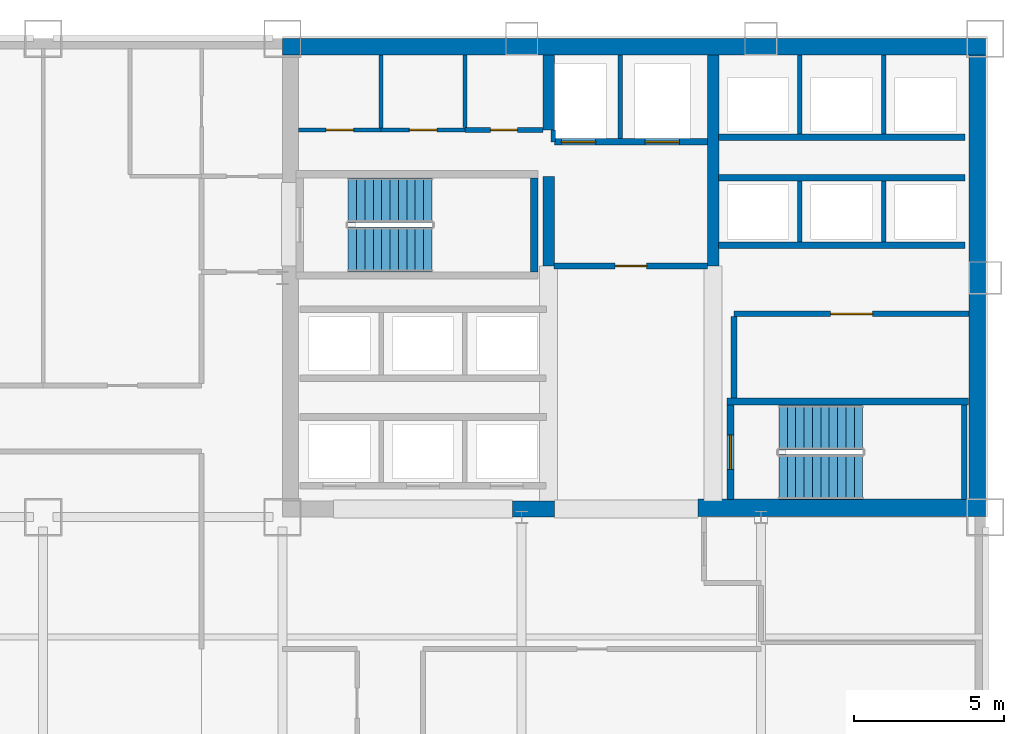
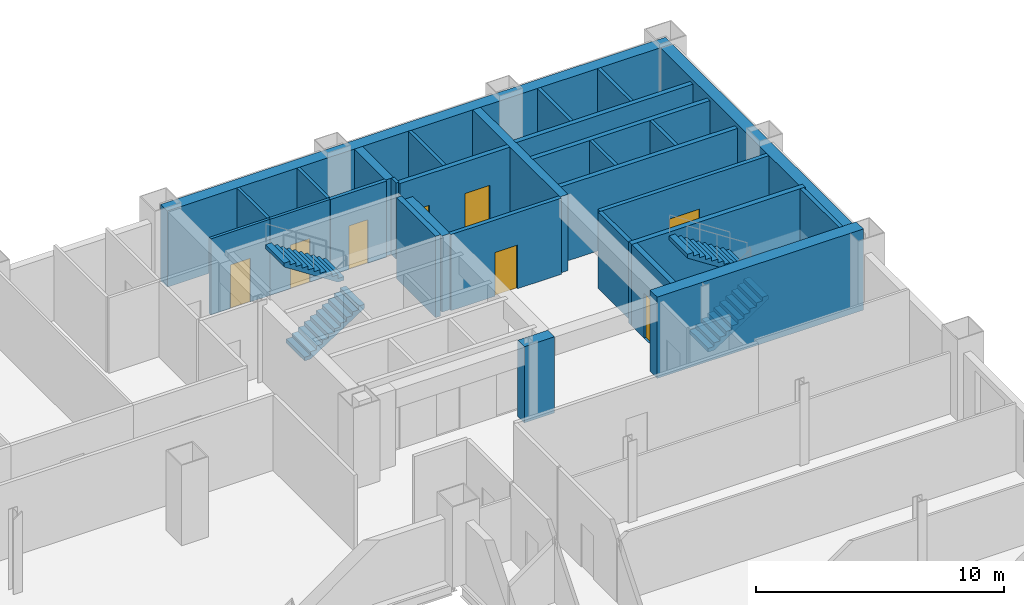
# One storey, part 7 of 9: 29 walls, 8 doors, 4 stair flights, 8 openings, 2 elements without a shape of their own.
"""IFC4 building model written with IfcOpenShell, lengths in metres."""

import ifcopenshell
import ifcopenshell.guid

model = None  # the IFC model being written
_history = None  # IfcOwnerHistory: only IFC2X3 demands one
_inside = {}  # id of a spatial element -> (the spatial element, [elements in it])
_under = {}  # id of a project, library or spatial element -> (it, [spatial elements below it])
_declared = {}  # id of a project -> (the project, [libraries it declares])
_typed = {}  # id of a type object -> (the type object, [elements of that type])
_made_of = {}  # id of a material, layer set ... -> (it, [elements and type objects made of it])


def new_model(schema):
    """Start an empty IFC model of exactly this schema.

    Asked for "IFC4X3", IfcOpenShell would pick the latest addendum, in which some entities
    have other attributes; the version numbers below select the first issue.
    IFC2X3 requires an IfcOwnerHistory on every rooted entity: one is made here for all.
    """
    global model, _history
    if schema == "IFC4X3":
        model = ifcopenshell.file(schema_version=(4, 3, 0, 0))
    else:
        model = ifcopenshell.file(schema=schema)
    _inside.clear()
    _under.clear()
    _declared.clear()
    _typed.clear()
    _made_of.clear()
    _history = None
    if model.schema == "IFC2X3":
        org = make("IfcOrganization", Name="unknown")
        user = make(
            "IfcPersonAndOrganization",
            ThePerson=make("IfcPerson", FamilyName="unknown"),
            TheOrganization=org,
        )
        app = make(
            "IfcApplication",
            ApplicationDeveloper=org,
            Version="unknown",
            ApplicationFullName="unknown",
            ApplicationIdentifier="unknown",
        )
        _history = make(
            "IfcOwnerHistory",
            OwningUser=user,
            OwningApplication=app,
            ChangeAction="ADDED",
            CreationDate=0,
        )
    return model


def make(cls, **values):
    """One entity of the class cls with the attributes given. An attribute that is None is left unset."""
    return model.create_entity(
        cls, **{name: value for name, value in values.items() if value is not None}
    )


def rooted(cls, **values):
    """An entity with a GlobalId (a new one), such as an element, a storey or a relation."""
    return make(cls, GlobalId=ifcopenshell.guid.new(), OwnerHistory=_history, **values)


def si_unit(unit_type, name, prefix=None):
    """IfcSIUnit, for example si_unit("LENGTHUNIT", "METRE", prefix="MILLI")."""
    return make("IfcSIUnit", UnitType=unit_type, Prefix=prefix, Name=name)


def assignment(units):
    """IfcUnitAssignment: the units of a project."""
    return None if units is None else make("IfcUnitAssignment", Units=units)


def point(xyz):
    """IfcCartesianPoint."""
    return None if xyz is None else make("IfcCartesianPoint", Coordinates=xyz)


def direction(xyz):
    """IfcDirection."""
    return None if xyz is None else make("IfcDirection", DirectionRatios=xyz)


def frame(location, z_axis=None, x_axis=None):
    """IfcAxis2Placement3D, a coordinate frame: its origin and axes. An axis left out is left unset."""
    return make(
        "IfcAxis2Placement3D",
        Location=point(location),
        Axis=direction(z_axis),
        RefDirection=direction(x_axis),
    )


def frame_2d(location, x_axis=None):
    """IfcAxis2Placement2D, a coordinate frame in the plane: its origin and x axis."""
    return make(
        "IfcAxis2Placement2D", Location=point(location), RefDirection=direction(x_axis)
    )


def origin():
    """The frame at (0, 0, 0) with its axes left unset."""
    return frame((0.0, 0.0, 0.0))


def place(relative_to, where):
    """IfcLocalPlacement: puts the frame where relative to a parent placement (None: the world)."""
    return make(
        "IfcLocalPlacement", PlacementRelTo=relative_to, RelativePlacement=where
    )


def context(
    kind, dimensions, precision=None, world=None, true_north=None, identifier=None
):
    """IfcGeometricRepresentationContext, for example the 3D "Model" context."""
    return make(
        "IfcGeometricRepresentationContext",
        ContextIdentifier=identifier,
        ContextType=kind,
        CoordinateSpaceDimension=dimensions,
        Precision=precision,
        WorldCoordinateSystem=world,
        TrueNorth=true_north,
    )


def subcontext(parent, identifier, kind, view, scale=None):
    """IfcGeometricRepresentationSubContext, for example "Body" below "Model"."""
    return make(
        "IfcGeometricRepresentationSubContext",
        ContextIdentifier=identifier,
        ContextType=kind,
        ParentContext=parent,
        TargetScale=scale,
        TargetView=view,
    )


def project(units=None, contexts=None):
    """IfcProject with its units and contexts."""
    return rooted(
        "IfcProject",
        Name="project",
        RepresentationContexts=contexts,
        UnitsInContext=assignment(units),
    )


def spatial(cls, under=None, at=None, **own):
    """A site, building, storey or space (cls), placed at a placement, below another one or the project."""
    s = rooted(cls, ObjectPlacement=at, **own)
    if under is not None:
        _under.setdefault(under.id(), (under, []))[1].append(s)
    return s


def polyline(points):
    """IfcPolyline through the points."""
    return make("IfcPolyline", Points=[point(p) for p in points])


def profile(cls, at=None, kind="AREA", **sizes):
    """A parametric profile (cls). Its sizes go by their IFC names, for example OverallWidth=200.0."""
    return make(cls, ProfileType=kind, Position=at, **sizes)


def rectangle(**sizes):
    """IfcRectangleProfileDef."""
    return profile("IfcRectangleProfileDef", **sizes)


def outline(outer, holes=None, kind="AREA"):
    """IfcArbitraryClosedProfileDef: a profile drawn as a closed curve; with holes, ...WithVoids."""
    if holes is None:
        return make("IfcArbitraryClosedProfileDef", ProfileType=kind, OuterCurve=outer)
    return make(
        "IfcArbitraryProfileDefWithVoids",
        ProfileType=kind,
        OuterCurve=outer,
        InnerCurves=holes,
    )


def extrude(swept, where, along, depth):
    """IfcExtrudedAreaSolid: the profile swept, set in the frame where, extruded along a direction by depth."""
    return make(
        "IfcExtrudedAreaSolid",
        SweptArea=swept,
        Position=where,
        ExtrudedDirection=direction(along),
        Depth=depth,
    )


def shape(context_of_items, identifier, shape_type, items):
    """IfcShapeRepresentation: the items that make up one representation, for example the "Body"."""
    return make(
        "IfcShapeRepresentation",
        ContextOfItems=context_of_items,
        RepresentationIdentifier=identifier,
        RepresentationType=shape_type,
        Items=items,
    )


def material(Name=None, Category=None):
    """IfcMaterial."""
    return make("IfcMaterial", Name=Name, Category=Category)


def layer(
    of_material, thickness, ventilated=None, Name=None, Category=None, Priority=None
):
    """IfcMaterialLayer: one layer of a wall or slab, of a material (None: an air gap)."""
    return make(
        "IfcMaterialLayer",
        Material=of_material,
        LayerThickness=thickness,
        IsVentilated=ventilated,
        Name=Name,
        Category=Category,
        Priority=Priority,
    )


def layer_set(layers, Name=None):
    """IfcMaterialLayerSet."""
    return make("IfcMaterialLayerSet", MaterialLayers=layers, LayerSetName=Name)


def made_of(thing, what):
    """Note that an element or type object is made of a material, layer set ...; save() writes the relation."""
    if what is not None:
        _made_of.setdefault(what.id(), (what, []))[1].append(thing)
    return thing


def type_object(cls, material=None, **own):
    """A type object (cls), such as IfcWallType, which elements share."""
    return made_of(rooted(cls, **own), material)


def element(
    cls,
    number,
    at=None,
    inside=None,
    cuts=None,
    type_object=None,
    material=None,
    context=None,
    identifier="Body",
    shape_type=None,
    held_by="IfcProductDefinitionShape",
    body=None,
    shapes=None,
    **own,
):
    """One element of the class cls, such as IfcWall. Its Tag is "e" and its number.

    at: its placement. inside: the storey or other place that contains it. cuts: it is an
    opening in that element (IfcRelVoidsElement). A single representation is given by context,
    identifier, shape_type and body (its items); several are given by shapes. held_by: the class
    of the entity that holds the representations. save() writes the other relations.
    """
    e = rooted(cls, Tag="e%d" % number, ObjectPlacement=at, **own)
    if body is not None:
        shapes = [shape(context, identifier, shape_type, body)]
    if shapes is not None:
        e.Representation = make(held_by, Representations=shapes)
    if inside is not None:
        _inside.setdefault(inside.id(), (inside, []))[1].append(e)
    if cuts is not None:
        rooted(
            "IfcRelVoidsElement", RelatingBuildingElement=cuts, RelatedOpeningElement=e
        )
    if type_object is not None:
        _typed.setdefault(type_object.id(), (type_object, []))[1].append(e)
    return made_of(e, material)


def fill(opening, filler):
    """IfcRelFillsElement: the door or window that sits in an opening."""
    return rooted(
        "IfcRelFillsElement",
        RelatingOpeningElement=opening,
        RelatedBuildingElement=filler,
    )


def aggregate(whole, parts):
    """IfcRelAggregates: a whole, such as a stair, and the parts it consists of."""
    return rooted("IfcRelAggregates", RelatingObject=whole, RelatedObjects=parts)


def save(model, path):
    """Write the relations noted so far, then the file.

    IfcRelAggregates (storeys below a building ...), IfcRelContainedInSpatialStructure (elements
    in a storey), IfcRelDefinesByType, IfcRelAssociatesMaterial and IfcRelDeclares: one each for
    every whole, place, type object, material and project.
    """
    for whole, parts in _under.values():
        aggregate(whole, parts)
    for where, things in _inside.values():
        rooted(
            "IfcRelContainedInSpatialStructure",
            RelatedElements=things,
            RelatingStructure=where,
        )
    for kind, things in _typed.values():
        rooted("IfcRelDefinesByType", RelatedObjects=things, RelatingType=kind)
    for what, things in _made_of.values():
        rooted("IfcRelAssociatesMaterial", RelatedObjects=things, RelatingMaterial=what)
    for by, libraries in _declared.values():
        rooted("IfcRelDeclares", RelatingContext=by, RelatedDefinitions=libraries)
    model.write(path)


model = new_model("IFC4")

# Units and contexts
model_context = context("Model", 3, precision=1e-05, world=origin(), true_north=direction((0.0, 1.0)))
body_context = subcontext(model_context, "Body", "Model", "MODEL_VIEW")
ifc_project = project(units=[si_unit("LENGTHUNIT", "METRE"), si_unit("AREAUNIT", "SQUARE_METRE"), si_unit("VOLUMEUNIT", "CUBIC_METRE"), si_unit("PLANEANGLEUNIT", "RADIAN"), si_unit("MASSUNIT", "GRAM", prefix="KILO")], contexts=[model_context])

# Site, building, storey
site_placement = place(None, origin())
site = spatial("IfcSite", under=ifc_project, at=site_placement, CompositionType="ELEMENT")
building_placement = place(site_placement, origin())
building = spatial("IfcBuilding", under=site, at=building_placement, Name="Qianrong Seaharbour Tower", CompositionType="ELEMENT")
storey_placement = place(building_placement, frame((0.0, 0.0, 40.199951171875)))
storey = spatial("IfcBuildingStorey", under=building, at=storey_placement, Name="L09", CompositionType="ELEMENT", Elevation=40.199951171875)

# Walls
ifc_material_1 = material(Name="Concrete C70/85", Category="concrete")
ifc_layer_1 = layer(ifc_material_1, 0.5400390625)
ifc_layer_set_1 = layer_set([ifc_layer_1], Name="Concrete C70/85")
wall_type_1 = type_object("IfcWallType", Name="WALL-CORE-540", PredefinedType="SHEAR", material=ifc_layer_set_1)
wall_1_placement = place(storey_placement, frame((40.5, 51.72998046875, 0.0), z_axis=(0.0, 0.0, 1.0), x_axis=(1.0, 0.0, 0.0)))
element("IfcWall", 1, at=wall_1_placement, inside=storey, type_object=wall_type_1, Name="L09 North Core Shear Wall", PredefinedType="SHEAR", context=body_context, shape_type="SweptSolid", body=[
    extrude(rectangle(XDim=23.5, YDim=0.5400390625, at=frame_2d((11.75, 0.0))), origin(), (0.0, 0.0, 1.0), 3.75),
])
wall_2_placement = place(storey_placement, frame((63.72998046875, 36.320068359375, 0.0), z_axis=(0.0, 0.0, 1.0), x_axis=(0.0, 1.0, 0.0)))
element("IfcWall", 2, at=wall_2_placement, inside=storey, type_object=wall_type_1, Name="L09 East Core Shear Wall", PredefinedType="SHEAR", context=body_context, shape_type="SweptSolid", body=[
    extrude(rectangle(XDim=15.139892578125, YDim=0.5400390625, at=frame_2d((7.56982421875, 0.0))), origin(), (0.0, 0.0, 1.0), 3.75),
])
wall_3_placement = place(storey_placement, frame((48.199951171875, 36.27001953125, 0.0), z_axis=(0.0, 0.0, 1.0), x_axis=(1.0, 0.0, 0.0)))
element("IfcWall", 3, at=wall_3_placement, inside=storey, type_object=wall_type_1, Name="L09 South Core Shear Wall S2", PredefinedType="SHEAR", context=body_context, shape_type="SweptSolid", body=[
    extrude(rectangle(XDim=1.400146484375, YDim=0.5400390625, at=frame_2d((0.7001953125, 0.0))), origin(), (0.0, 0.0, 1.0), 3.75),
])
ifc_layer_2 = layer(ifc_material_1, 0.580078125)
ifc_layer_set_2 = layer_set([ifc_layer_2], Name="Concrete C70/85")
wall_type_2 = type_object("IfcWallType", Name="WALL-CORE-580", PredefinedType="SHEAR", material=ifc_layer_set_2)
wall_4_placement = place(storey_placement, frame((54.39990234375, 36.320068359375, 0.0), z_axis=(0.0, 0.0, 1.0), x_axis=(1.0, 0.0, 0.0)))
element("IfcWall", 4, at=wall_4_placement, inside=storey, type_object=wall_type_2, Name="L09 South Core Shear Wall S3", PredefinedType="SHEAR", context=body_context, shape_type="SweptSolid", body=[
    extrude(rectangle(XDim=9.60009765625, YDim=0.580078125, at=frame_2d((4.800048828125, 0.0))), origin(), (0.0, 0.0, 1.0), 4.0),
])
ifc_material_2 = material(Name="Concrete C60/75", Category="concrete")
ifc_layer_3 = layer(ifc_material_2, 0.3798828125)
ifc_layer_set_3 = layer_set([ifc_layer_3], Name="Concrete C60/75")
wall_type_3 = type_object("IfcWallType", Name="WALL-CORE-INT-380", PredefinedType="SHEAR", material=ifc_layer_set_3)
wall_5_placement = place(storey_placement, frame((49.39990234375, 44.39990234375, 0.0), z_axis=(0.0, 0.0, 1.0), x_axis=(0.0, 1.0, 0.0)))
element("IfcWall", 5, at=wall_5_placement, inside=storey, type_object=wall_type_3, Name="L09 Internal Core Shear Wall IW1N1", PredefinedType="SHEAR", context=body_context, shape_type="SweptSolid", body=[
    extrude(rectangle(XDim=3.0, YDim=0.3798828125, at=frame_2d((1.5, 0.0))), origin(), (0.0, 0.0, 1.0), 3.75),
])
wall_6_placement = place(storey_placement, frame((49.39990234375, 48.949951171875, 0.0), z_axis=(0.0, 0.0, 1.0), x_axis=(0.0, 1.0, 0.0)))
element("IfcWall", 6, at=wall_6_placement, inside=storey, type_object=wall_type_3, Name="L09 Internal Core Shear Wall IW1N2", PredefinedType="SHEAR", context=body_context, shape_type="SweptSolid", body=[
    extrude(rectangle(XDim=2.510009765625, YDim=0.3798828125, at=frame_2d((1.2548828125, 0.0))), origin(), (0.0, 0.0, 1.0), 3.75),
])
wall_7_placement = place(storey_placement, frame((54.89990234375, 44.39990234375, 0.0), z_axis=(0.0, 0.0, 1.0), x_axis=(0.0, 1.0, 0.0)))
element("IfcWall", 7, at=wall_7_placement, inside=storey, type_object=wall_type_3, Name="L09 Internal Core Shear Wall IW2N", PredefinedType="SHEAR", context=body_context, shape_type="SweptSolid", body=[
    extrude(rectangle(XDim=7.06005859375, YDim=0.3798828125, at=frame_2d((3.530029296875, 0.0))), origin(), (0.0, 0.0, 1.0), 3.75),
])

# Wall, opening, door
ifc_material_3 = material(Name="Fire-rated acoustic gypsum board partition")
ifc_layer_4 = layer(ifc_material_3, 0.1650390625)
ifc_layer_set_4 = layer_set([ifc_layer_4], Name="Fire-rated acoustic gypsum board partition")
wall_type_4 = type_object("IfcWallType", Name="WALL-CORR-PART-165", PredefinedType="PARTITIONING", material=ifc_layer_set_4)
wall_8_placement = place(storey_placement, frame((46.60009765625, 48.949951171875, 0.0), z_axis=(0.0, 0.0, 1.0), x_axis=(1.0, 0.0, 0.0)))
wall_8 = element("IfcWall", 8, at=wall_8_placement, inside=storey, type_object=wall_type_4, Name="L09 Interior Partition Wall 009", PredefinedType="PARTITIONING", context=body_context, shape_type="SweptSolid", body=[
    extrude(rectangle(XDim=2.617919921875, YDim=0.1650390625, at=frame_2d((1.30908203125, 0.0))), origin(), (0.0, 0.0, 1.0), 3.75),
])
opening_1_placement = place(wall_8_placement, frame((0.85888671875, 0.0, 0.0)))
opening_1 = element("IfcOpeningElement", 9, at=opening_1_placement, cuts=wall_8, Name="Opening DS-01", PredefinedType="OPENING", context=body_context, shape_type="SweptSolid", body=[
    extrude(rectangle(XDim=0.89990234375, YDim=2.14990234375, at=frame_2d((0.449951171875, 1.074951171875))), frame((0.0, 0.092529296875, 0.0), z_axis=(0.0, -1.0, 0.0), x_axis=(1.0, 0.0, 0.0)), (0.0, 0.0, 1.0), 0.18505859375),
])
ifc_material_4 = material(Name="Acoustic timber and galvanized steel fire door assembly", Category="steel")
door_type_1 = type_object("IfcDoorType", Name="DOOR-STORE-900x2150", OperationType="NOTDEFINED", PredefinedType="DOOR", material=ifc_material_4)
door_1_placement = place(opening_1_placement, origin())
door_1 = element("IfcDoor", 10, at=door_1_placement, inside=storey, type_object=door_type_1, Name="L09 Cleaner Store Room Door", OperationType="SINGLE_SWING_RIGHT", OverallHeight=2.14990234375, OverallWidth=0.89990234375, PredefinedType="DOOR", context=body_context, shape_type="SweptSolid", body=[
    extrude(rectangle(XDim=0.89990234375, YDim=2.14990234375, at=frame_2d((0.449951171875, 1.074951171875))), frame((0.0, 0.02490234375, 0.0), z_axis=(0.0, -1.0, 0.0), x_axis=(1.0, 0.0, 0.0)), (0.0, 0.0, 1.0), 0.050048828125),
])
fill(opening_1, door_1)

ifc_material_5 = material(Name="Double fire-rated gypsum board acoustic partition")
ifc_layer_5 = layer(ifc_material_5, 0.18994140625)
ifc_layer_set_5 = layer_set([ifc_layer_5], Name="Double fire-rated gypsum board acoustic partition")
wall_type_5 = type_object("IfcWallType", Name="WALL-FIRE-PART-190", PredefinedType="PARTITIONING", material=ifc_layer_set_5)
wall_9_placement = place(storey_placement, frame((54.718017578125, 44.39990234375, 0.0), z_axis=(0.0, 0.0, 1.0), x_axis=(-1.0, 0.0, 0.0)))
wall_9 = element("IfcWall", 11, at=wall_9_placement, inside=storey, type_object=wall_type_5, Name="L09 Interior Partition Wall 010", PredefinedType="PARTITIONING", context=body_context, shape_type="SweptSolid", body=[
    extrude(rectangle(XDim=5.135986328125, YDim=0.18994140625, at=frame_2d((2.56787109375, 0.0))), origin(), (0.0, 0.0, 1.0), 3.75),
])
opening_2_placement = place(wall_9_placement, frame((2.04296875, 0.0, 0.0)))
opening_2 = element("IfcOpeningElement", 12, at=opening_2_placement, cuts=wall_9, Name="Opening DC-01", PredefinedType="OPENING", context=body_context, shape_type="SweptSolid", body=[
    extrude(rectangle(XDim=1.050048828125, YDim=2.14990234375, at=frame_2d((0.52490234375, 1.074951171875))), frame((0.0, 0.10498046875, 0.0), z_axis=(0.0, -1.0, 0.0), x_axis=(1.0, 0.0, 0.0)), (0.0, 0.0, 1.0), 0.2099609375),
])
door_type_2 = type_object("IfcDoorType", Name="DOOR-CORR-FD60-1050x2150", OperationType="NOTDEFINED", PredefinedType="DOOR", material=ifc_material_4)
door_2_placement = place(opening_2_placement, origin())
door_2 = element("IfcDoor", 13, at=door_2_placement, inside=storey, type_object=door_type_2, Name="L09 Firefighting Lift Lobby Door", OperationType="SINGLE_SWING_LEFT", OverallHeight=2.14990234375, OverallWidth=1.050048828125, PredefinedType="DOOR", context=body_context, shape_type="SweptSolid", body=[
    extrude(rectangle(XDim=1.050048828125, YDim=2.14990234375, at=frame_2d((0.52490234375, 1.074951171875))), frame((0.0, 0.02490234375, 0.0), z_axis=(0.0, -1.0, 0.0), x_axis=(1.0, 0.0, 0.0)), (0.0, 0.0, 1.0), 0.050048828125),
])
fill(opening_2, door_2)

# Wall
wall_10_placement = place(storey_placement, frame((55.60009765625, 42.712890625, 0.0), z_axis=(0.0, 0.0, 1.0), x_axis=(0.0, -1.0, 0.0)))
element("IfcWall", 14, at=wall_10_placement, inside=storey, type_object=wall_type_5, Name="L09 Interior Partition Wall 011", PredefinedType="PARTITIONING", context=body_context, shape_type="SweptSolid", body=[
    extrude(rectangle(XDim=2.73095703125, YDim=0.18994140625, at=frame_2d((1.365478515625, 0.0))), origin(), (0.0, 0.0, 1.0), 3.75),
])

# Wall, opening, door
wall_11_placement = place(storey_placement, frame((63.4599609375, 42.800048828125, 0.0), z_axis=(0.0, 0.0, 1.0), x_axis=(-1.0, 0.0, 0.0)))
wall_11 = element("IfcWall", 15, at=wall_11_placement, inside=storey, type_object=wall_type_5, Name="L09 Interior Partition Wall 012", PredefinedType="PARTITIONING", context=body_context, shape_type="SweptSolid", body=[
    extrude(rectangle(XDim=7.85986328125, YDim=0.18994140625, at=frame_2d((3.929931640625, 0.0))), origin(), (0.0, 0.0, 1.0), 3.75),
])
opening_3_placement = place(wall_11_placement, frame((3.22998046875, 0.0, 0.0)))
opening_3 = element("IfcOpeningElement", 16, at=opening_3_placement, cuts=wall_11, Name="Opening DP-01", PredefinedType="OPENING", context=body_context, shape_type="SweptSolid", body=[
    extrude(rectangle(XDim=1.39990234375, YDim=2.25, at=frame_2d((0.699951171875, 1.125))), frame((0.0, 0.10498046875, 0.0), z_axis=(0.0, -1.0, 0.0), x_axis=(1.0, 0.0, 0.0)), (0.0, 0.0, 1.0), 0.2099609375),
])
door_type_3 = type_object("IfcDoorType", Name="DOOR-PLANT-PAIR-1400x2250", OperationType="DOUBLE_DOOR_SINGLE_SWING", PredefinedType="DOOR", material=ifc_material_4)
door_3_placement = place(opening_3_placement, origin())
door_3 = element("IfcDoor", 17, at=door_3_placement, inside=storey, type_object=door_type_3, Name="L09 Core Telecom Hub Room Door", OperationType="DOUBLE_DOOR_SINGLE_SWING", OverallHeight=2.25, OverallWidth=1.39990234375, PredefinedType="DOOR", context=body_context, shape_type="SweptSolid", body=[
    extrude(rectangle(XDim=1.39990234375, YDim=2.25, at=frame_2d((0.699951171875, 1.125))), frame((0.0, 0.02490234375, 0.0), z_axis=(0.0, -1.0, 0.0), x_axis=(1.0, 0.0, 0.0)), (0.0, 0.0, 1.0), 0.050048828125),
])
fill(opening_3, door_3)

# Walls
ifc_material_6 = material(Name="Fire-rated gypsum board on steel studs", Category="steel")
ifc_layer_6 = layer(ifc_material_6, 0.14990234375)
ifc_layer_set_6 = layer_set([ifc_layer_6], Name="Fire-rated gypsum board on steel studs")
wall_type_6 = type_object("IfcWallType", Name="WALL-SHAFT-DIV-150", PredefinedType="PARTITIONING", material=ifc_layer_set_6)
wall_12_placement = place(storey_placement, frame((51.800048828125, 48.669921875, 0.0), z_axis=(0.0, 0.0, 1.0), x_axis=(0.0, 1.0, 0.0)))
element("IfcWall", 18, at=wall_12_placement, inside=storey, type_object=wall_type_6, Name="L09 Firefighting Lift Shaft Divider Wall", PredefinedType="PARTITIONING", context=body_context, shape_type="SweptSolid", body=[
    extrude(rectangle(XDim=2.7900390625, YDim=0.14990234375, at=frame_2d((1.39501953125, 0.0))), origin(), (0.0, 0.0, 1.0), 3.75),
])
wall_13_placement = place(storey_placement, frame((49.550048828125, 48.550048828125, 0.0), z_axis=(0.0, 0.0, 1.0), x_axis=(0.0, 1.0, 0.0)))
element("IfcWall", 19, at=wall_13_placement, inside=storey, type_object=wall_type_6, Name="L09 Firefighting Lift Shaft West Return Wall", PredefinedType="PARTITIONING", context=body_context, shape_type="SweptSolid", body=[
    extrude(rectangle(XDim=0.39990234375, YDim=0.14990234375, at=frame_2d((0.199951171875, 0.0))), origin(), (0.0, 0.0, 1.0), 3.75),
])
for number, where, z_axis, x_axis, name in (
    (20, (57.800048828125, 45.2099609375, 0.0), (0.0, 0.0, 1.0), (0.0, 1.0, 0.0), "L09 P3 Lift Hoistway Divider 2"),
    (21, (60.60009765625, 45.2099609375, 0.0), (0.0, 0.0, 1.0), (0.0, 1.0, 0.0), "L09 P3 Lift Hoistway Divider 3"),
):
    element("IfcWall", number, at=place(storey_placement, frame(where, z_axis=z_axis, x_axis=x_axis)), inside=storey, type_object=wall_type_6, Name=name, PredefinedType="PARTITIONING", context=body_context, shape_type="SweptSolid", body=[
        extrude(rectangle(XDim=2.030029296875, YDim=0.14990234375, at=frame_2d((1.01513671875, 0.0))), origin(), (0.0, 0.0, 1.0), 3.75),
    ])
for number, where, z_axis, x_axis, name in (
    (22, (57.800048828125, 48.81005859375, 0.0), (0.0, 0.0, 1.0), (0.0, 1.0, 0.0), "L09 P4 Lift Hoistway Divider 2"),
    (23, (60.60009765625, 48.81005859375, 0.0), (0.0, 0.0, 1.0), (0.0, 1.0, 0.0), "L09 P4 Lift Hoistway Divider 3"),
):
    element("IfcWall", number, at=place(storey_placement, frame(where, z_axis=z_axis, x_axis=x_axis)), inside=storey, type_object=wall_type_6, Name=name, PredefinedType="PARTITIONING", context=body_context, shape_type="SweptSolid", body=[
        extrude(rectangle(XDim=2.64990234375, YDim=0.14990234375, at=frame_2d((1.324951171875, 0.0))), origin(), (0.0, 0.0, 1.0), 3.75),
    ])

# Wall, openings, doors
ifc_layer_7 = layer(ifc_material_6, 0.219970703125)
ifc_layer_set_7 = layer_set([ifc_layer_7], Name="Fire-rated gypsum board on steel studs")
wall_type_7 = type_object("IfcWallType", Name="WALL-SHAFT-GYP220", PredefinedType="PARTITIONING", material=ifc_layer_set_7)
wall_14_placement = place(storey_placement, frame((54.7099609375, 48.550048828125, 0.0), z_axis=(0.0, 0.0, 1.0), x_axis=(-1.0, 0.0, 0.0)))
wall_14 = element("IfcWall", 24, at=wall_14_placement, inside=storey, type_object=wall_type_7, Name="L09 Firefighting Lift Shaft Front Wall", PredefinedType="PARTITIONING", context=body_context, shape_type="SweptSolid", body=[
    extrude(rectangle(XDim=5.119873046875, YDim=0.219970703125, at=frame_2d((2.56005859375, 0.0))), origin(), (0.0, 0.0, 1.0), 3.75),
])
opening_4_placement = place(wall_14_placement, frame((3.735107421875, 0.0, 0.0)))
opening_4 = element("IfcOpeningElement", 25, at=opening_4_placement, cuts=wall_14, Name="Opening LD-01", PredefinedType="OPENING", context=body_context, shape_type="SweptSolid", body=[
    extrude(rectangle(XDim=1.14990234375, YDim=2.199951171875, at=frame_2d((0.574951171875, 1.10009765625))), frame((0.0, 0.1201171875, 0.0), z_axis=(0.0, -1.0, 0.0), x_axis=(1.0, 0.0, 0.0)), (0.0, 0.0, 1.0), 0.239990234375),
])
opening_5_placement = place(wall_14_placement, frame((0.93505859375, 0.0, 0.0)))
opening_5 = element("IfcOpeningElement", 26, at=opening_5_placement, cuts=wall_14, Name="Opening LD-01", PredefinedType="OPENING", context=body_context, shape_type="SweptSolid", body=[
    extrude(rectangle(XDim=1.14990234375, YDim=2.199951171875, at=frame_2d((0.574951171875, 1.10009765625))), frame((0.0, 0.1201171875, 0.0), z_axis=(0.0, -1.0, 0.0), x_axis=(1.0, 0.0, 0.0)), (0.0, 0.0, 1.0), 0.239990234375),
])
ifc_material_7 = material(Name="Stainless steel SUS316L bi-parting lift landing door", Category="steel")
door_type_4 = type_object("IfcDoorType", Name="DOOR-LIFT-FF-1150x2200", OperationType="DOUBLE_DOOR_SLIDING", PredefinedType="DOOR", material=ifc_material_7)
door_4_placement = place(opening_4_placement, origin())
door_4 = element("IfcDoor", 27, at=door_4_placement, inside=storey, type_object=door_type_4, Name="L09 FL-1 Firefighting Lift Landing Door", OperationType="DOUBLE_DOOR_SLIDING", OverallHeight=2.199951171875, OverallWidth=1.14990234375, PredefinedType="DOOR", context=body_context, shape_type="SweptSolid", body=[
    extrude(rectangle(XDim=1.14990234375, YDim=2.199951171875, at=frame_2d((0.574951171875, 1.10009765625))), frame((0.0, 0.02490234375, 0.0), z_axis=(0.0, -1.0, 0.0), x_axis=(1.0, 0.0, 0.0)), (0.0, 0.0, 1.0), 0.050048828125),
])
fill(opening_4, door_4)
door_5_placement = place(opening_5_placement, origin())
door_5 = element("IfcDoor", 28, at=door_5_placement, inside=storey, type_object=door_type_4, Name="L09 FL-2 Firefighting Lift Landing Door", OperationType="DOUBLE_DOOR_SLIDING", OverallHeight=2.199951171875, OverallWidth=1.14990234375, PredefinedType="DOOR", context=body_context, shape_type="SweptSolid", body=[
    extrude(rectangle(XDim=1.14990234375, YDim=2.199951171875, at=frame_2d((0.574951171875, 1.10009765625))), frame((0.0, 0.02490234375, 0.0), z_axis=(0.0, -1.0, 0.0), x_axis=(1.0, 0.0, 0.0)), (0.0, 0.0, 1.0), 0.050048828125),
])
fill(opening_5, door_5)

# Walls
for number, where, z_axis, x_axis, name in (
    (29, (63.320068359375, 45.10009765625, 0.0), (0.0, 0.0, 1.0), (-1.0, 0.0, 0.0), "L09 P3 Lift Hoistway Front Wall"),
    (30, (55.080078125, 47.35009765625, 0.0), (0.0, 0.0, 1.0), (1.0, 0.0, 0.0), "L09 P3 Lift Hoistway Back Wall"),
    (31, (63.320068359375, 48.699951171875, 0.0), (0.0, 0.0, 1.0), (-1.0, 0.0, 0.0), "L09 P4 Lift Hoistway Front Wall"),
):
    element("IfcWall", number, at=place(storey_placement, frame(where, z_axis=z_axis, x_axis=x_axis)), inside=storey, type_object=wall_type_7, Name=name, PredefinedType="PARTITIONING", context=body_context, shape_type="SweptSolid", body=[
        extrude(rectangle(XDim=8.239990234375, YDim=0.219970703125, at=frame_2d((4.1201171875, 0.0))), origin(), (0.0, 0.0, 1.0), 3.75),
    ])
ifc_material_8 = material(Name="Concrete C50/60", Category="concrete")
ifc_layer_8 = layer(ifc_material_8, 0.239990234375)
ifc_layer_set_8 = layer_set([ifc_layer_8], Name="Concrete C50/60")
wall_type_8 = type_object("IfcWallType", Name="WALL-SHAFT-RC240", PredefinedType="SOLIDWALL", material=ifc_layer_set_8)
wall_15_placement = place(storey_placement, frame((48.919921875, 44.199951171875, 0.0), z_axis=(0.0, 0.0, 1.0), x_axis=(0.0, 1.0, 0.0)))
element("IfcWall", 32, at=wall_15_placement, inside=storey, type_object=wall_type_8, Name="L09 ST-1 Structural Stair Core Wall E", PredefinedType="SOLIDWALL", context=body_context, shape_type="SweptSolid", body=[
    extrude(rectangle(XDim=3.150146484375, YDim=0.239990234375, at=frame_2d((1.5751953125, 0.0))), origin(), (0.0, 0.0, 1.0), 4.0),
])
wall_16_placement = place(storey_placement, frame((55.360107421875, 39.8701171875, 0.0), z_axis=(0.0, 0.0, 1.0), x_axis=(1.0, 0.0, 0.0)))
element("IfcWall", 33, at=wall_16_placement, inside=storey, type_object=wall_type_8, Name="L09 ST-2 Structural Stair Core Wall N", PredefinedType="SOLIDWALL", context=body_context, shape_type="SweptSolid", body=[
    extrude(rectangle(XDim=8.079833984375, YDim=0.239990234375, at=frame_2d((4.0400390625, 0.0))), origin(), (0.0, 0.0, 1.0), 4.0),
])

# Wall, opening, door
wall_17_placement = place(storey_placement, frame((55.47998046875, 39.75, 0.0), z_axis=(0.0, 0.0, 1.0), x_axis=(0.0, -1.0, 0.0)))
wall_17 = element("IfcWall", 34, at=wall_17_placement, inside=storey, type_object=wall_type_8, Name="L09 ST-2 Structural Stair Core Wall W", PredefinedType="SOLIDWALL", context=body_context, shape_type="SweptSolid", body=[
    extrude(rectangle(XDim=3.14990234375, YDim=0.239990234375, at=frame_2d((1.574951171875, 0.0))), origin(), (0.0, 0.0, 1.0), 4.0),
])
opening_6_placement = place(wall_17_placement, frame((1.0, 0.0, 0.0)))
opening_6 = element("IfcOpeningElement", 35, at=opening_6_placement, cuts=wall_17, Name="Opening SD-01", PredefinedType="OPENING", context=body_context, shape_type="SweptSolid", body=[
    extrude(rectangle(XDim=1.14990234375, YDim=2.199951171875, at=frame_2d((0.574951171875, 1.10009765625))), frame((0.0, 0.1298828125, 0.0), z_axis=(0.0, -1.0, 0.0), x_axis=(1.0, 0.0, 0.0)), (0.0, 0.0, 1.0), 0.260009765625),
])
door_type_5 = type_object("IfcDoorType", Name="DOOR-STAIR-FD60-1150x2200", OperationType="NOTDEFINED", PredefinedType="DOOR", material=ifc_material_4)
door_6_placement = place(opening_6_placement, origin())
door_6 = element("IfcDoor", 36, at=door_6_placement, inside=storey, type_object=door_type_5, Name="L09 ST-2 Protected Stair Door", OperationType="SINGLE_SWING_RIGHT", OverallHeight=2.199951171875, OverallWidth=1.14990234375, PredefinedType="DOOR", context=body_context, shape_type="SweptSolid", body=[
    extrude(rectangle(XDim=1.14990234375, YDim=2.199951171875, at=frame_2d((0.574951171875, 1.10009765625))), frame((0.0, 0.02490234375, 0.0), z_axis=(0.0, -1.0, 0.0), x_axis=(1.0, 0.0, 0.0)), (0.0, 0.0, 1.0), 0.050048828125),
])
fill(opening_6, door_6)

# Wall
wall_18_placement = place(storey_placement, frame((63.2900390625, 36.60009765625, 0.0), z_axis=(0.0, 0.0, 1.0), x_axis=(0.0, 1.0, 0.0)))
element("IfcWall", 37, at=wall_18_placement, inside=storey, type_object=wall_type_8, Name="L09 ST-2 Structural Stair Core Wall E", PredefinedType="SOLIDWALL", context=body_context, shape_type="SweptSolid", body=[
    extrude(rectangle(XDim=3.14990234375, YDim=0.179931640625, at=frame_2d((1.574951171875, 0.0))), origin(), (0.0, 0.0, 1.0), 4.0),
])

# Wall, opening, door
ifc_material_9 = material(Name="Water-resistant cement board sanitary partition")
ifc_layer_9 = layer(ifc_material_9, 0.1298828125)
ifc_layer_set_9 = layer_set([ifc_layer_9], Name="Water-resistant cement board sanitary partition")
wall_type_9 = type_object("IfcWallType", Name="WALL-WET-PART-130", PredefinedType="PARTITIONING", material=ifc_layer_set_9)
wall_19_placement = place(storey_placement, frame((41.0400390625, 48.949951171875, 0.0), z_axis=(0.0, 0.0, 1.0), x_axis=(1.0, 0.0, 0.0)))
wall_19 = element("IfcWall", 38, at=wall_19_placement, inside=storey, type_object=wall_type_9, Name="L09 Interior Partition Wall 007", PredefinedType="PARTITIONING", context=body_context, shape_type="SweptSolid", body=[
    extrude(rectangle(XDim=2.760009765625, YDim=0.1298828125, at=frame_2d((1.3798828125, 0.0))), origin(), (0.0, 0.0, 1.0), 3.75),
])
opening_7_placement = place(wall_19_placement, frame((0.919921875, 0.0, 0.0)))
opening_7 = element("IfcOpeningElement", 39, at=opening_7_placement, cuts=wall_19, Name="Opening DW-01", PredefinedType="OPENING", context=body_context, shape_type="SweptSolid", body=[
    extrude(rectangle(XDim=0.919921875, YDim=2.14990234375, at=frame_2d((0.4599609375, 1.074951171875))), frame((0.0, 0.074951171875, 0.0), z_axis=(0.0, -1.0, 0.0), x_axis=(1.0, 0.0, 0.0)), (0.0, 0.0, 1.0), 0.14990234375),
])
door_type_6 = type_object("IfcDoorType", Name="DOOR-WC-920x2150", OperationType="NOTDEFINED", PredefinedType="DOOR", material=ifc_material_4)
door_7_placement = place(opening_7_placement, origin())
door_7 = element("IfcDoor", 40, at=door_7_placement, inside=storey, type_object=door_type_6, Name="L09 Male Restroom WC Door", OperationType="SINGLE_SWING_RIGHT", OverallHeight=2.14990234375, OverallWidth=0.919921875, PredefinedType="DOOR", context=body_context, shape_type="SweptSolid", body=[
    extrude(rectangle(XDim=0.919921875, YDim=2.14990234375, at=frame_2d((0.4599609375, 1.074951171875))), frame((0.0, 0.02490234375, 0.0), z_axis=(0.0, -1.0, 0.0), x_axis=(1.0, 0.0, 0.0)), (0.0, 0.0, 1.0), 0.050048828125),
])
fill(opening_7, door_7)

wall_20_placement = place(storey_placement, frame((43.800048828125, 48.949951171875, 0.0), z_axis=(0.0, 0.0, 1.0), x_axis=(1.0, 0.0, 0.0)))
wall_20 = element("IfcWall", 41, at=wall_20_placement, inside=storey, type_object=wall_type_9, Name="L09 Interior Partition Wall 008", PredefinedType="PARTITIONING", context=body_context, shape_type="SweptSolid", body=[
    extrude(rectangle(XDim=2.800048828125, YDim=0.1298828125, at=frame_2d((1.39990234375, 0.0))), origin(), (0.0, 0.0, 1.0), 3.75),
])
opening_8_placement = place(wall_20_placement, frame((0.93994140625, 0.0, 0.0)))
opening_8 = element("IfcOpeningElement", 42, at=opening_8_placement, cuts=wall_20, Name="Opening DW-01", PredefinedType="OPENING", context=body_context, shape_type="SweptSolid", body=[
    extrude(rectangle(XDim=0.919921875, YDim=2.14990234375, at=frame_2d((0.4599609375, 1.074951171875))), frame((0.0, 0.074951171875, 0.0), z_axis=(0.0, -1.0, 0.0), x_axis=(1.0, 0.0, 0.0)), (0.0, 0.0, 1.0), 0.14990234375),
])
door_8_placement = place(opening_8_placement, origin())
door_8 = element("IfcDoor", 43, at=door_8_placement, inside=storey, type_object=door_type_6, Name="L09 Female Restroom WC Door", OperationType="SINGLE_SWING_LEFT", OverallHeight=2.14990234375, OverallWidth=0.919921875, PredefinedType="DOOR", context=body_context, shape_type="SweptSolid", body=[
    extrude(rectangle(XDim=0.919921875, YDim=2.14990234375, at=frame_2d((0.4599609375, 1.074951171875))), frame((0.0, 0.02490234375, 0.0), z_axis=(0.0, -1.0, 0.0), x_axis=(1.0, 0.0, 0.0)), (0.0, 0.0, 1.0), 0.050048828125),
])
fill(opening_8, door_8)

# Walls
wall_21_placement = place(storey_placement, frame((43.800048828125, 51.4599609375, 0.0), z_axis=(0.0, 0.0, 1.0), x_axis=(0.0, -1.0, 0.0)))
element("IfcWall", 44, at=wall_21_placement, inside=storey, type_object=wall_type_9, Name="L09 Interior Partition Wall 013", PredefinedType="PARTITIONING", context=body_context, shape_type="SweptSolid", body=[
    extrude(rectangle(XDim=2.452880859375, YDim=0.1298828125, at=frame_2d((1.2265625, 0.0))), origin(), (0.0, 0.0, 1.0), 3.75),
])
wall_22_placement = place(storey_placement, frame((46.60009765625, 51.4599609375, 0.0), z_axis=(0.0, 0.0, 1.0), x_axis=(0.0, -1.0, 0.0)))
element("IfcWall", 45, at=wall_22_placement, inside=storey, type_object=wall_type_9, Name="L09 Interior Partition Wall 014", PredefinedType="PARTITIONING", context=body_context, shape_type="SweptSolid", body=[
    extrude(rectangle(XDim=2.435546875, YDim=0.1298828125, at=frame_2d((1.2177734375, 0.0))), origin(), (0.0, 0.0, 1.0), 3.75),
])

# Stair, stair flights
stair_type = type_object("IfcStairType", Name="STAIR-DOGLEG-1500-R22", PredefinedType="HALF_TURN_STAIR", material=ifc_material_8)
stair_1_placement = place(storey_placement, origin())
stair_1 = element("IfcStair", 46, at=stair_1_placement, inside=storey, type_object=stair_type, Name="L09 Protected Escape Stair ST-1", PredefinedType="HALF_TURN_STAIR")
stair_flight_type = type_object("IfcStairFlightType", Name="FLIGHT-STR-1500-R22", PredefinedType="STRAIGHT", material=ifc_material_8)
stair_flight_1_placement = place(storey_placement, frame((42.699951171875, 44.949951171875, 0.0), z_axis=(0.0, 0.0, 1.0), x_axis=(1.0, 0.0, 0.0)))
stair_flight_1 = element("IfcStairFlight", 47, at=stair_flight_1_placement, type_object=stair_flight_type, Name="ST-1 flight 1", NumberOfRisers=11, NumberOfTreads=10, PredefinedType="STRAIGHT", RiserHeight=0.181818182, TreadLength=0.28, context=body_context, shape_type="SweptSolid", body=[
    extrude(outline(polyline([(0.0, 0.0), (0.0, 0.181884765625), (0.280029296875, 0.181884765625), (0.280029296875, 0.363525390625), (0.56005859375, 0.363525390625), (0.56005859375, 0.54541015625), (0.840087890625, 0.54541015625), (0.840087890625, 0.727294921875), (1.1201171875, 0.727294921875), (1.1201171875, 0.9091796875), (1.39990234375, 0.9091796875), (1.39990234375, 1.0908203125), (1.679931640625, 1.0908203125), (1.679931640625, 1.272705078125), (1.9599609375, 1.272705078125), (1.9599609375, 1.45458984375), (2.239990234375, 1.45458984375), (2.239990234375, 1.636474609375), (2.52001953125, 1.636474609375), (2.52001953125, 1.818115234375), (2.800048828125, 1.818115234375), (2.800048828125, 2.0), (2.800048828125, 1.62744140625), (0.293701171875, 0.0), (0.0, 0.0)])), frame((0.0, 0.75, 0.0), z_axis=(0.0, -1.0, 0.0), x_axis=(1.0, 0.0, 0.0)), (0.0, 0.0, 1.0), 1.5),
])
stair_flight_2_placement = place(storey_placement, frame((45.5, 46.60009765625, 2.0), z_axis=(0.0, 0.0, 1.0), x_axis=(-1.0, 0.0, 0.0)))
stair_flight_2 = element("IfcStairFlight", 48, at=stair_flight_2_placement, type_object=stair_flight_type, Name="ST-1 flight 2", NumberOfRisers=11, NumberOfTreads=10, PredefinedType="STRAIGHT", RiserHeight=0.181818182, TreadLength=0.28, context=body_context, shape_type="SweptSolid", body=[
    extrude(outline(polyline([(0.0, 0.0), (0.0, 0.181884765625), (0.280029296875, 0.181884765625), (0.280029296875, 0.363525390625), (0.56005859375, 0.363525390625), (0.56005859375, 0.54541015625), (0.840087890625, 0.54541015625), (0.840087890625, 0.727294921875), (1.1201171875, 0.727294921875), (1.1201171875, 0.9091796875), (1.39990234375, 0.9091796875), (1.39990234375, 1.0908203125), (1.679931640625, 1.0908203125), (1.679931640625, 1.272705078125), (1.9599609375, 1.272705078125), (1.9599609375, 1.45458984375), (2.239990234375, 1.45458984375), (2.239990234375, 1.636474609375), (2.52001953125, 1.636474609375), (2.52001953125, 1.818115234375), (2.800048828125, 1.818115234375), (2.800048828125, 2.0), (2.800048828125, 1.62744140625), (0.293701171875, 0.0), (0.0, 0.0)])), frame((0.0, 0.75, 0.0), z_axis=(0.0, -1.0, 0.0), x_axis=(1.0, 0.0, 0.0)), (0.0, 0.0, 1.0), 1.5),
])
aggregate(stair_1, [stair_flight_1, stair_flight_2])

stair_2_placement = place(storey_placement, origin())
stair_2 = element("IfcStair", 49, at=stair_2_placement, inside=storey, type_object=stair_type, Name="L09 Protected Escape Stair ST-2", PredefinedType="HALF_TURN_STAIR")
stair_flight_3_placement = place(storey_placement, frame((57.10009765625, 37.35009765625, 0.0), z_axis=(0.0, 0.0, 1.0), x_axis=(1.0, 0.0, 0.0)))
stair_flight_3 = element("IfcStairFlight", 50, at=stair_flight_3_placement, type_object=stair_flight_type, Name="ST-2 flight 1", NumberOfRisers=11, NumberOfTreads=10, PredefinedType="STRAIGHT", RiserHeight=0.181818182, TreadLength=0.28, context=body_context, shape_type="SweptSolid", body=[
    extrude(outline(polyline([(0.0, 0.0), (0.0, 0.181884765625), (0.280029296875, 0.181884765625), (0.280029296875, 0.363525390625), (0.56005859375, 0.363525390625), (0.56005859375, 0.54541015625), (0.840087890625, 0.54541015625), (0.840087890625, 0.727294921875), (1.1201171875, 0.727294921875), (1.1201171875, 0.9091796875), (1.39990234375, 0.9091796875), (1.39990234375, 1.0908203125), (1.679931640625, 1.0908203125), (1.679931640625, 1.272705078125), (1.9599609375, 1.272705078125), (1.9599609375, 1.45458984375), (2.239990234375, 1.45458984375), (2.239990234375, 1.636474609375), (2.52001953125, 1.636474609375), (2.52001953125, 1.818115234375), (2.800048828125, 1.818115234375), (2.800048828125, 2.0), (2.800048828125, 1.62744140625), (0.293701171875, 0.0), (0.0, 0.0)])), frame((0.0, 0.75, 0.0), z_axis=(0.0, -1.0, 0.0), x_axis=(1.0, 0.0, 0.0)), (0.0, 0.0, 1.0), 1.5),
])
stair_flight_4_placement = place(storey_placement, frame((59.89990234375, 39.0, 2.0), z_axis=(0.0, 0.0, 1.0), x_axis=(-1.0, 0.0, 0.0)))
stair_flight_4 = element("IfcStairFlight", 51, at=stair_flight_4_placement, type_object=stair_flight_type, Name="ST-2 flight 2", NumberOfRisers=11, NumberOfTreads=10, PredefinedType="STRAIGHT", RiserHeight=0.181818182, TreadLength=0.28, context=body_context, shape_type="SweptSolid", body=[
    extrude(outline(polyline([(0.0, 0.0), (0.0, 0.181884765625), (0.280029296875, 0.181884765625), (0.280029296875, 0.363525390625), (0.56005859375, 0.363525390625), (0.56005859375, 0.54541015625), (0.840087890625, 0.54541015625), (0.840087890625, 0.727294921875), (1.1201171875, 0.727294921875), (1.1201171875, 0.9091796875), (1.39990234375, 0.9091796875), (1.39990234375, 1.0908203125), (1.679931640625, 1.0908203125), (1.679931640625, 1.272705078125), (1.9599609375, 1.272705078125), (1.9599609375, 1.45458984375), (2.239990234375, 1.45458984375), (2.239990234375, 1.636474609375), (2.52001953125, 1.636474609375), (2.52001953125, 1.818115234375), (2.800048828125, 1.818115234375), (2.800048828125, 2.0), (2.800048828125, 1.62744140625), (0.293701171875, 0.0), (0.0, 0.0)])), frame((0.0, 0.75, 0.0), z_axis=(0.0, -1.0, 0.0), x_axis=(1.0, 0.0, 0.0)), (0.0, 0.0, 1.0), 1.5),
])
aggregate(stair_2, [stair_flight_3, stair_flight_4])

save(model, "model.ifc")
